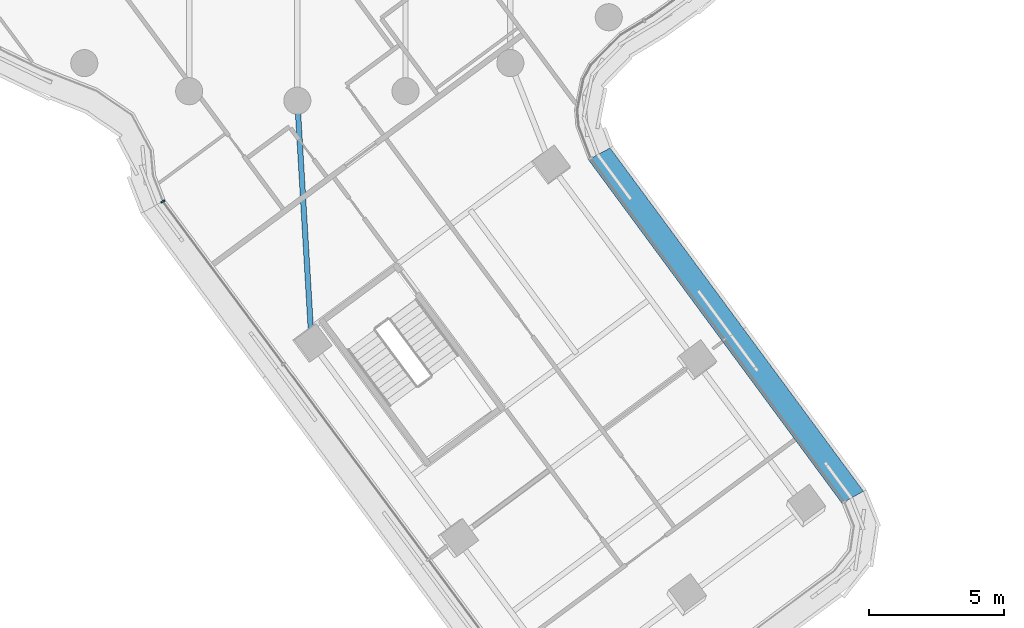
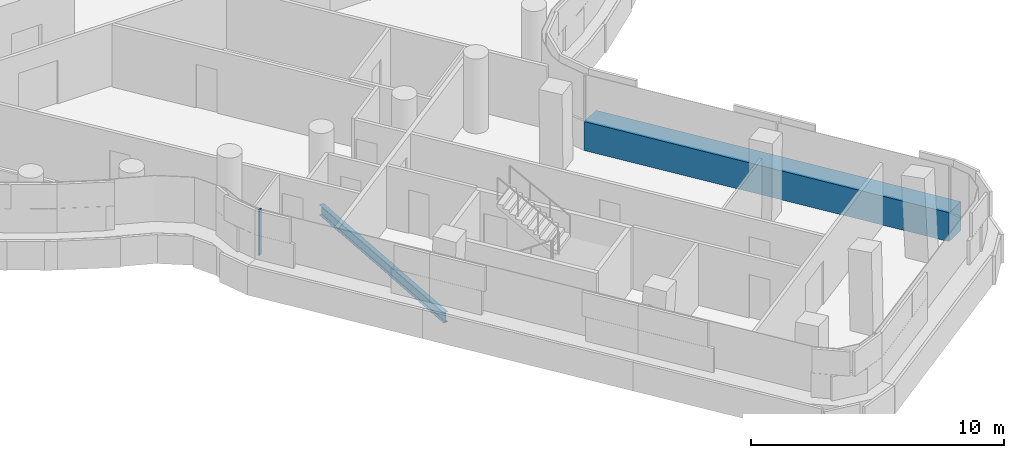
# One storey, part 5 of 32: 2 members, 1 beam, 2 elements without a shape of their own.
"""IFC4 building model written with IfcOpenShell, lengths in metres."""

from ifc_helpers import new_model, si_unit, direction, frame, origin, origin_2d, place, context, subcontext, project, spatial, polyline, rectangle, i_section, outline, extrude, material, layer, layer_set, material_profile, profile_set, type_object, element, aggregate, save


model = new_model("IFC4")

# Units and contexts
model_context = context("Model", 3, precision=1e-05, world=origin(), true_north=direction((0.0, 1.0)))
body_context = subcontext(model_context, "Body", "Model", "MODEL_VIEW")
ifc_project = project(units=[si_unit("LENGTHUNIT", "METRE"), si_unit("AREAUNIT", "SQUARE_METRE"), si_unit("VOLUMEUNIT", "CUBIC_METRE"), si_unit("PLANEANGLEUNIT", "RADIAN"), si_unit("MASSUNIT", "GRAM", prefix="KILO")], contexts=[model_context])

# Site, building, storey
site_placement = place(None, origin())
site = spatial("IfcSite", under=ifc_project, at=site_placement, CompositionType="ELEMENT")
building_placement = place(site_placement, origin())
building = spatial("IfcBuilding", under=site, at=building_placement, Name="Tamarind Cross Interchange Tower", CompositionType="ELEMENT")
storey_placement = place(building_placement, frame((0.0, 0.0, 166.75)))
storey = spatial("IfcBuildingStorey", under=building, at=storey_placement, Name="L41", CompositionType="ELEMENT", Elevation=166.75)

# Beam
ifc_material_1 = material(Name="Steel Q355B", Category="steel")
ifc_material_profile_1 = material_profile(ifc_material_1, i_section(OverallWidth=0.198974609375, OverallDepth=0.49609375, WebThickness=0.009033203125, FlangeThickness=0.013916015625, FilletRadius=0.012939453125, at=origin_2d()), Name="HN 496x199x9x14")
ifc_profile_set_1 = profile_set([ifc_material_profile_1], Name="Steel Q355B")
beam_type = type_object("IfcBeamType", Name="Composite beam HN 496x199x9x14 Q355B", PredefinedType="BEAM", material=ifc_profile_set_1)
beam_placement = place(storey_placement, frame((0.527587890625, -31.94287109375, -0.387939453125), z_axis=(-0.058892960943, 0.998264303254, 0.0), x_axis=(-0.998264303254, -0.058892960943, 0.0)))
element("IfcBeam", 1, at=beam_placement, inside=storey, type_object=beam_type, Name="Beam S-linkem", PredefinedType="BEAM", context=body_context, shape_type="SweptSolid", body=[
    extrude(i_section(OverallWidth=0.198974609375, OverallDepth=0.49609375, WebThickness=0.009033203125, FlangeThickness=0.013916015625, FilletRadius=0.012939453125, at=origin_2d()), origin(), (0.0, 0.0, 1.0), 8.95849609375),
])

# Curtain wall, member
ifc_material_2 = material(Name="Aluminium 6063-T6", Category="aluminium")
ifc_layer = layer(ifc_material_2, 0.159912109375)
ifc_layer_set = layer_set([ifc_layer], Name="Aluminium 6063-T6")
curtain_wall_type = type_object("IfcCurtainWallType", Name="Office curtain wall, 9.0 m bays", PredefinedType="NOTDEFINED", material=ifc_layer_set)
curtain_wall_1_placement = place(storey_placement, origin())
curtain_wall_1 = element("IfcCurtainWall", 2, at=curtain_wall_1_placement, inside=storey, type_object=curtain_wall_type, Name="CWS-L41-13", PredefinedType="NOTDEFINED")
ifc_material_3 = material(Name="Aluminium and insulated spandrel panel", Category="aluminium")
member_type_1 = type_object("IfcMemberType", Name="Floor-edge blade transom", PredefinedType="USERDEFINED", material=ifc_material_3)
member_1_placement = place(storey_placement, origin())
member_1 = element("IfcMember", 3, at=member_1_placement, type_object=member_type_1, Name="CWT-L41-13", ObjectType="TRANSOM", PredefinedType="USERDEFINED", context=body_context, shape_type="SweptSolid", body=[
    extrude(outline(polyline([(20.109619140625, -37.863037109375), (10.748291015625, -25.17919921875), (11.546875, -24.745361328125), (20.9033203125, -37.423095703125), (20.109619140625, -37.863037109375)])), origin(), (0.0, 0.0, 1.0), 1.39990234375),
])
aggregate(curtain_wall_1, [member_1])

curtain_wall_2_placement = place(storey_placement, origin())
curtain_wall_2 = element("IfcCurtainWall", 4, at=curtain_wall_2_placement, inside=storey, type_object=curtain_wall_type, Name="CWS-L41-11", PredefinedType="NOTDEFINED")
ifc_material_profile_2 = material_profile(ifc_material_2, rectangle(XDim=0.06005859375, YDim=0.159912109375, at=origin_2d()), Name="Mullion CW1")
ifc_profile_set_2 = profile_set([ifc_material_profile_2], Name="Aluminium 6063-T6")
member_type_2 = type_object("IfcMemberType", Name="Mullion CW1", PredefinedType="MULLION", material=ifc_profile_set_2)
member_2_placement = place(storey_placement, frame((-4.964599609375, -26.720947265625, 1.39990234375), z_axis=(0.0, 0.0, 1.0), x_axis=(0.480660418313, -0.876906815042, 0.0)))
member_2 = element("IfcMember", 5, at=member_2_placement, type_object=member_type_2, Name="CWM-L41-11-00", PredefinedType="MULLION", context=body_context, shape_type="SweptSolid", body=[
    extrude(rectangle(XDim=0.06005859375, YDim=0.159912109375, at=origin_2d()), origin(), (0.0, 0.0, 1.0), 2.210205078125),
])
aggregate(curtain_wall_2, [member_2])

save(model, "model.ifc")
